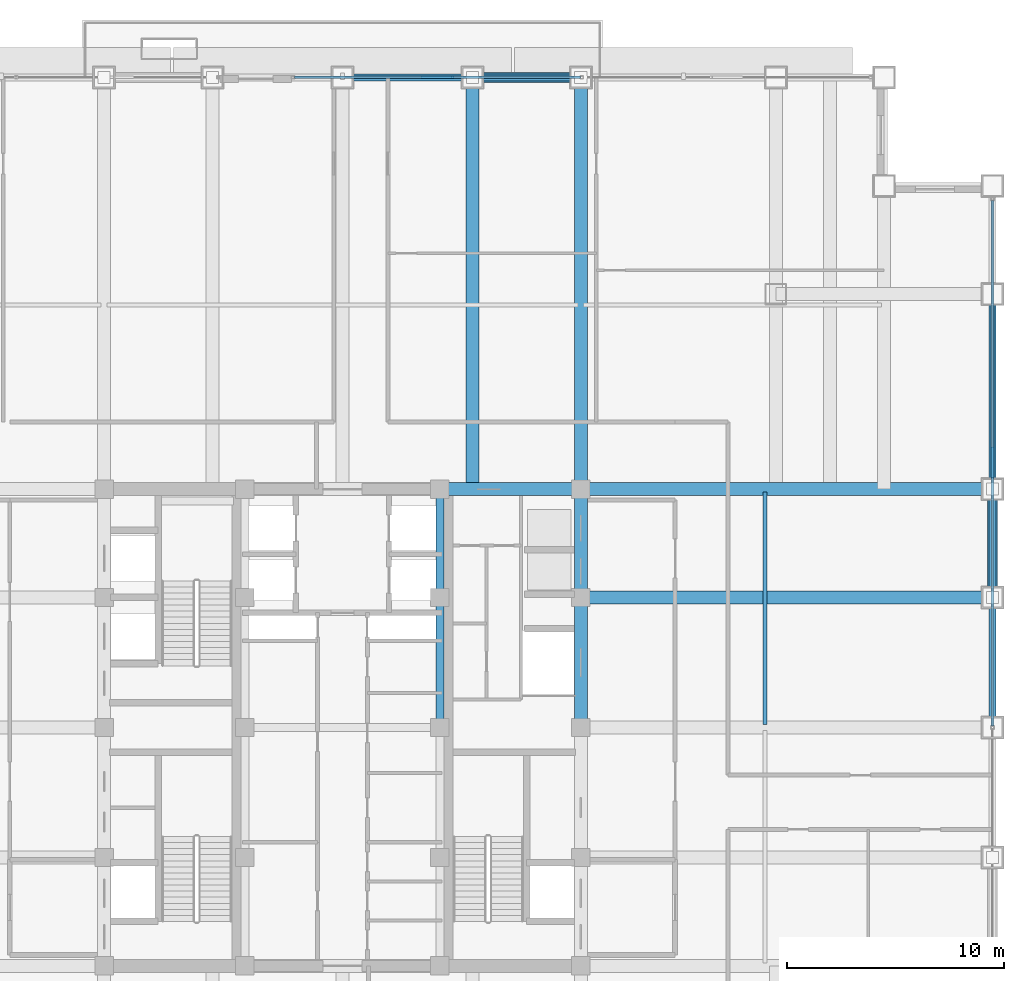
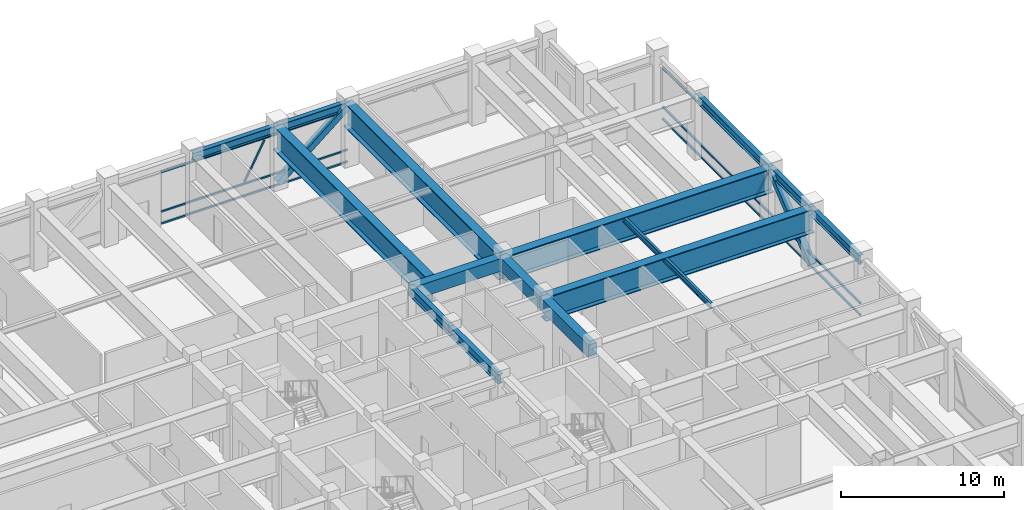
# One storey, part 19 of 33: 15 beams, 10 members, 2 elements without a shape of their own.
"""IFC4 building model written with IfcOpenShell, lengths in metres."""

from ifc_helpers import new_model, si_unit, direction, frame, origin, origin_2d, place, context, subcontext, project, spatial, rectangle, hollow_rectangle, i_section, extrude, source, transform, mapped, material, material_profile, profile_set, type_object, element, aggregate, save


model = new_model("IFC4")

# Units and contexts
model_context = context("Model", 3, precision=1e-05, world=origin(), true_north=direction((0.0, 1.0)))
body_context = subcontext(model_context, "Body", "Model", "MODEL_VIEW")
ifc_project = project(units=[si_unit("LENGTHUNIT", "METRE"), si_unit("AREAUNIT", "SQUARE_METRE"), si_unit("VOLUMEUNIT", "CUBIC_METRE"), si_unit("PLANEANGLEUNIT", "RADIAN"), si_unit("MASSUNIT", "GRAM", prefix="KILO")], contexts=[model_context])

# Site, building, storey
site_placement = place(None, origin())
site = spatial("IfcSite", under=ifc_project, at=site_placement, CompositionType="ELEMENT")
building_placement = place(site_placement, origin())
building = spatial("IfcBuilding", under=site, at=building_placement, Name="Khorayat Bourse Tower", CompositionType="ELEMENT")
storey_placement = place(building_placement, frame((0.0, 0.0, 263.10009765625)))
storey = spatial("IfcBuildingStorey", under=building, at=storey_placement, Name="L62", CompositionType="ELEMENT", Elevation=263.10009765625)

# Beams
ifc_material_1 = material(Name="Steel ASTM A992 Grade 50", Category="steel")
ifc_material_profile_1 = material_profile(ifc_material_1, i_section(OverallWidth=0.35498046875, OverallDepth=0.695068359375, WebThickness=0.015380859375, FlangeThickness=0.02490234375, FilletRadius=0.01806640625, at=origin_2d()), Name="W690X217")
ifc_profile_set_1 = profile_set([ifc_material_profile_1], Name="Steel ASTM A992 Grade 50")
beam_type_1 = type_object("IfcBeamType", Name="BM-GIRD-690", PredefinedType="BEAM", material=ifc_profile_set_1)
shared_shape_1 = source(origin(), body_context, "Body", "SweptSolid", [
    extrude(i_section(OverallWidth=0.35498046875, OverallDepth=0.695068359375, WebThickness=0.015380859375, FlangeThickness=0.02490234375, FilletRadius=0.01806640625, at=origin_2d()), origin(), (0.0, 0.0, 1.0), 5.0),
])
beam_1_placement = place(storey_placement, frame((4.5, 6.0, 4.25244140625), z_axis=(0.0, 1.0, 0.0), x_axis=(-1.0, 0.0, 0.0)))
element("IfcBeam", 1, at=beam_1_placement, inside=storey, type_object=beam_type_1, Name="L62 BM-GIRD-690 BM-L62-CRX-12", PredefinedType="BEAM", context=body_context, shape_type="MappedRepresentation", body=[
    mapped(shared_shape_1, transform((0.0, 0.0, 0.0), scale=1.0)),
])
shared_shape_2 = source(origin(), body_context, "Body", "SweptSolid", [
    extrude(i_section(OverallWidth=0.35498046875, OverallDepth=0.695068359375, WebThickness=0.015380859375, FlangeThickness=0.02490234375, FilletRadius=0.01806640625, at=origin_2d()), origin(), (0.0, 0.0, 1.0), 6.0),
])
beam_2_placement = place(storey_placement, frame((4.5, 0.0, 4.25244140625), z_axis=(0.0, 1.0, 0.0), x_axis=(-1.0, 0.0, 0.0)))
element("IfcBeam", 2, at=beam_2_placement, inside=storey, type_object=beam_type_1, Name="L62 BM-GIRD-690 BM-L62-CRX-11", PredefinedType="BEAM", context=body_context, shape_type="MappedRepresentation", body=[
    mapped(shared_shape_2, transform((0.0, 0.0, 0.0), scale=1.0)),
])
ifc_material_profile_2 = material_profile(ifc_material_1, i_section(OverallWidth=0.180908203125, OverallDepth=0.4169921875, WebThickness=0.010986328125, FlangeThickness=0.018310546875, FilletRadius=0.011962890625, at=origin_2d()), Name="W410X85")
ifc_profile_set_2 = profile_set([ifc_material_profile_2], Name="Steel ASTM A992 Grade 50")
beam_type_2 = type_object("IfcBeamType", Name="BM-JOIST-410", PredefinedType="JOIST", material=ifc_profile_set_2)
shared_shape_3 = source(origin(), body_context, "Body", "SweptSolid", [
    extrude(i_section(OverallWidth=0.180908203125, OverallDepth=0.4169921875, WebThickness=0.010986328125, FlangeThickness=0.018310546875, FilletRadius=0.011962890625, at=origin_2d()), origin(), (0.0, 0.0, 1.0), 10.740234375),
])
beam_3_placement = place(storey_placement, frame((19.5, 0.1298828125, 4.391357421875), z_axis=(0.0, 1.0, 0.0), x_axis=(-1.0, 0.0, 0.0)))
element("IfcBeam", 3, at=beam_3_placement, inside=storey, type_object=beam_type_2, Name="L62 BM-JOIST-410 BM-L62-JSTY-113", PredefinedType="JOIST", context=body_context, shape_type="MappedRepresentation", body=[
    mapped(shared_shape_3, transform((0.0, 0.0, 0.0), scale=1.0)),
])
ifc_material_profile_3 = material_profile(ifc_material_1, i_section(OverallWidth=0.324951171875, OverallDepth=0.615966796875, WebThickness=0.013916015625, FlangeThickness=0.021484375, FilletRadius=0.01611328125, at=origin_2d()), Name="W610X174")
ifc_profile_set_3 = profile_set([ifc_material_profile_3], Name="Steel ASTM A992 Grade 50")
beam_type_3 = type_object("IfcBeamType", Name="BM-SPAN-610", PredefinedType="SPANDREL", material=ifc_profile_set_3)
shared_shape_4 = source(origin(), body_context, "Body", "SweptSolid", [
    extrude(i_section(OverallWidth=0.324951171875, OverallDepth=0.615966796875, WebThickness=0.013916015625, FlangeThickness=0.021484375, FilletRadius=0.01611328125, at=origin_2d()), origin(), (0.0, 0.0, 1.0), 9.0),
])
beam_4_placement = place(storey_placement, frame((30.0, 11.0, 4.2919921875), z_axis=(0.0, 1.0, 0.0), x_axis=(-1.0, 0.0, 0.0)))
element("IfcBeam", 4, at=beam_4_placement, inside=storey, type_object=beam_type_3, Name="L62 BM-SPAN-610 BM-L62-SPN-040", PredefinedType="SPANDREL", context=body_context, shape_type="MappedRepresentation", body=[
    mapped(shared_shape_4, transform((0.0, 0.0, 0.0), scale=1.0)),
])
shared_shape_5 = source(origin(), body_context, "Body", "SweptSolid", [
    extrude(i_section(OverallWidth=0.324951171875, OverallDepth=0.615966796875, WebThickness=0.013916015625, FlangeThickness=0.021484375, FilletRadius=0.01611328125, at=origin_2d()), origin(), (0.0, 0.0, 1.0), 5.0),
])
for number, where, z_axis, x_axis, name in (
    (5, (30.0, 6.0, 4.2919921875), (0.0, 1.0, 0.0), (-1.0, 0.0, 0.0), "L62 BM-SPAN-610 BM-L62-SPN-039"),
    (6, (6.0, 30.0, 4.2919921875), (1.0, 0.0, 0.0), (0.0, 1.0, 0.0), "L62 BM-SPAN-610 BM-L62-SPN-046"),
):
    element("IfcBeam", number, at=place(storey_placement, frame(where, z_axis=z_axis, x_axis=x_axis)), inside=storey, type_object=beam_type_3, Name=name, PredefinedType="SPANDREL", context=body_context, shape_type="MappedRepresentation", body=[
        mapped(shared_shape_5, transform((0.0, 0.0, 0.0), scale=1.0)),
    ])
shared_shape_6 = source(origin(), body_context, "Body", "SweptSolid", [
    extrude(i_section(OverallWidth=0.324951171875, OverallDepth=0.615966796875, WebThickness=0.013916015625, FlangeThickness=0.021484375, FilletRadius=0.01611328125, at=origin_2d()), origin(), (0.0, 0.0, 1.0), 6.0),
])
for number, where, z_axis, x_axis, name in (
    (7, (30.0, 0.0, 4.2919921875), (0.0, 1.0, 0.0), (-1.0, 0.0, 0.0), "L62 BM-SPAN-610 BM-L62-SPN-038"),
    (8, (0.0, 30.0, 4.2919921875), (1.0, 0.0, 0.0), (0.0, 1.0, 0.0), "L62 BM-SPAN-610 BM-L62-SPN-047"),
):
    element("IfcBeam", number, at=place(storey_placement, frame(where, z_axis=z_axis, x_axis=x_axis)), inside=storey, type_object=beam_type_3, Name=name, PredefinedType="SPANDREL", context=body_context, shape_type="MappedRepresentation", body=[
        mapped(shared_shape_6, transform((0.0, 0.0, 0.0), scale=1.0)),
    ])
ifc_material_2 = material(Name="Concrete C60/75", Category="concrete")
ifc_material_profile_4 = material_profile(ifc_material_2, rectangle(XDim=0.60009765625, YDim=0.949951171875, at=origin_2d()), Name="RC 600x950")
ifc_profile_set_4 = profile_set([ifc_material_profile_4], Name="Concrete C60/75")
beam_type_4 = type_object("IfcBeamType", Name="BM-COUP-950", PredefinedType="BEAM", material=ifc_profile_set_4)
shared_shape_7 = source(origin(), body_context, "Body", "SweptSolid", [
    extrude(rectangle(XDim=0.60009765625, YDim=0.949951171875, at=origin_2d()), origin(), (0.0, 0.0, 1.0), 5.0),
])
beam_5_placement = place(storey_placement, frame((11.0, 6.0, 4.125), z_axis=(0.0, 1.0, 0.0), x_axis=(-1.0, 0.0, 0.0)))
element("IfcBeam", 9, at=beam_5_placement, inside=storey, type_object=beam_type_4, Name="L62 BM-COUP-950 BM-L62-CRX-16", PredefinedType="BEAM", context=body_context, shape_type="MappedRepresentation", body=[
    mapped(shared_shape_7, transform((0.0, 0.0, 0.0), scale=1.0)),
])
shared_shape_8 = source(origin(), body_context, "Body", "SweptSolid", [
    extrude(rectangle(XDim=0.60009765625, YDim=0.949951171875, at=origin_2d()), origin(), (0.0, 0.0, 1.0), 6.0),
])
beam_6_placement = place(storey_placement, frame((11.0, 0.0, 4.125), z_axis=(0.0, 1.0, 0.0), x_axis=(-1.0, 0.0, 0.0)))
element("IfcBeam", 10, at=beam_6_placement, inside=storey, type_object=beam_type_4, Name="L62 BM-COUP-950 BM-L62-CRX-15", PredefinedType="BEAM", context=body_context, shape_type="MappedRepresentation", body=[
    mapped(shared_shape_8, transform((0.0, 0.0, 0.0), scale=1.0)),
])
shared_shape_9 = source(origin(), body_context, "Body", "SweptSolid", [
    extrude(rectangle(XDim=0.60009765625, YDim=0.949951171875, at=origin_2d()), origin(), (0.0, 0.0, 1.0), 6.5),
])
beam_7_placement = place(storey_placement, frame((4.5, 11.0, 4.125), z_axis=(1.0, 0.0, 0.0), x_axis=(0.0, 1.0, 0.0)))
element("IfcBeam", 11, at=beam_7_placement, inside=storey, type_object=beam_type_4, Name="L62 BM-COUP-950 BM-L62-CRY-22", PredefinedType="BEAM", context=body_context, shape_type="MappedRepresentation", body=[
    mapped(shared_shape_9, transform((0.0, 0.0, 0.0), scale=1.0)),
])
ifc_material_3 = material(Name="Steel EN 10025-4 S460M", Category="steel")
ifc_material_profile_5 = material_profile(ifc_material_3, i_section(OverallWidth=0.60009765625, OverallDepth=1.800048828125, WebThickness=0.031982421875, FlangeThickness=0.06005859375, at=origin_2d()), Name="PG 1800x600x32x60")
ifc_profile_set_5 = profile_set([ifc_material_profile_5], Name="Steel EN 10025-4 S460M")
beam_type_5 = type_object("IfcBeamType", Name="BM-TR-1800", PredefinedType="BEAM", material=ifc_profile_set_5)
shared_shape_10 = source(origin(), body_context, "Body", "SweptSolid", [
    extrude(i_section(OverallWidth=0.60009765625, OverallDepth=1.800048828125, WebThickness=0.031982421875, FlangeThickness=0.06005859375, at=origin_2d()), origin(), (0.0, 0.0, 1.0), 19.0),
])
for number, where, z_axis, x_axis, name in (
    (12, (6.0, 11.0, 3.699951171875), (0.0, 1.0, 0.0), (-1.0, 0.0, 0.0), "L62 BM-TR-1800 BM-L62-RADY-070"),
    (13, (11.0, 11.0, 3.699951171875), (0.0, 1.0, 0.0), (-1.0, 0.0, 0.0), "L62 BM-TR-1800 BM-L62-RADY-072"),
    (14, (11.0, 6.0, 3.699951171875), (1.0, 0.0, 0.0), (0.0, 1.0, 0.0), "L62 BM-TR-1800 BM-L62-RADX-080"),
    (15, (11.0, 11.0, 3.699951171875), (1.0, 0.0, 0.0), (0.0, 1.0, 0.0), "L62 BM-TR-1800 BM-L62-RADX-082"),
):
    element("IfcBeam", number, at=place(storey_placement, frame(where, z_axis=z_axis, x_axis=x_axis)), inside=storey, type_object=beam_type_5, Name=name, PredefinedType="BEAM", context=body_context, shape_type="MappedRepresentation", body=[
        mapped(shared_shape_10, transform((0.0, 0.0, 0.0), scale=1.0)),
    ])

# Members
ifc_material_profile_6 = material_profile(ifc_material_3, hollow_rectangle(XDim=0.449951171875, YDim=0.449951171875, WallThickness=0.02490234375, at=origin_2d()), Name="HSS 450x450x25")
ifc_profile_set_6 = profile_set([ifc_material_profile_6], Name="Steel EN 10025-4 S460M")
member_type_1 = type_object("IfcMemberType", Name="MBR-TUBE-450", PredefinedType="BRACE", material=ifc_profile_set_6)
shared_shape_11 = source(origin(), body_context, "Body", "SweptSolid", [
    extrude(hollow_rectangle(XDim=0.449951171875, YDim=0.449951171875, WallThickness=0.02490234375, at=origin_2d()), origin(), (0.0, 0.0, 1.0), 6.466064453125),
])
for number, where, z_axis, x_axis, name in (
    (16, (6.0, 30.0, 0.25), (0.773278898257, 0.0, 0.634066041916), (0.0, 1.0, 0.0), "L62 Perimeter Tube Brace 04"),
    (17, (30.0, 6.0, 0.25), (0.0, 0.773278898257, 0.634066041916), (-1.0, 0.0, 0.0), "L62 Perimeter Tube Brace 08"),
):
    element("IfcMember", number, at=place(storey_placement, frame(where, z_axis=z_axis, x_axis=x_axis)), inside=storey, type_object=member_type_1, Name=name, PredefinedType="BRACE", context=body_context, shape_type="MappedRepresentation", body=[
        mapped(shared_shape_11, transform((0.0, 0.0, 0.0), scale=1.0)),
    ])

# Curtain wall, member
ifc_material_4 = material(Name="Aluminium EN AW-6063 T6", Category="aluminium")
curtain_wall_type = type_object("IfcCurtainWallType", Name="CW-SYS-05", PredefinedType="NOTDEFINED", material=ifc_material_4)
curtain_wall_1_placement = place(storey_placement, origin())
curtain_wall_1 = element("IfcCurtainWall", 18, at=curtain_wall_1_placement, inside=storey, type_object=curtain_wall_type, Name="L62 Curtain Wall CW-L62-N2", PredefinedType="NOTDEFINED")
ifc_material_profile_7 = material_profile(ifc_material_4, hollow_rectangle(XDim=0.1201171875, YDim=0.1201171875, WallThickness=0.0048828125, at=origin_2d()), Name="ALU 120x120x5")
ifc_profile_set_7 = profile_set([ifc_material_profile_7], Name="Aluminium EN AW-6063 T6")
member_type_2 = type_object("IfcMemberType", Name="CWM-DIAG-120", PredefinedType="MULLION", material=ifc_profile_set_7)
shared_shape_12 = source(origin(), body_context, "Body", "SweptSolid", [
    extrude(hollow_rectangle(XDim=0.1201171875, YDim=0.1201171875, WallThickness=0.0048828125, at=origin_2d()), origin(), (0.0, 0.0, 1.0), 3.006103515625),
])
member_1_placement = place(storey_placement, frame((3.68505859375, 30.0, 1.08984375), z_axis=(0.465699569312, 0.0, 0.884942885808), x_axis=(0.0, 1.0, 0.0)))
member_1 = element("IfcMember", 19, at=member_1_placement, type_object=member_type_2, Name="CW-L62-N2 Faceted Diagonal Mullion 1", PredefinedType="MULLION", context=body_context, shape_type="MappedRepresentation", body=[
    mapped(shared_shape_12, transform((0.0, 0.0, 0.0), scale=1.0)),
])

curtain_wall_2_placement = place(storey_placement, origin())
curtain_wall_2 = element("IfcCurtainWall", 20, at=curtain_wall_2_placement, inside=storey, type_object=curtain_wall_type, Name="L62 Curtain Wall CW-L62-E1", PredefinedType="NOTDEFINED")
member_2_placement = place(storey_placement, frame((30.0, 12.889892578125, 1.08984375), z_axis=(0.0, -0.465699569312, 0.884942885808), x_axis=(1.0, 0.0, 0.0)))
member_2 = element("IfcMember", 21, at=member_2_placement, type_object=member_type_2, Name="CW-L62-E1 Faceted Diagonal Mullion 2", PredefinedType="MULLION", context=body_context, shape_type="MappedRepresentation", body=[
    mapped(shared_shape_12, transform((0.0, 0.0, 0.0), scale=1.0)),
])

# Member
ifc_material_profile_8 = material_profile(ifc_material_4, hollow_rectangle(XDim=0.1201171875, YDim=0.1201171875, WallThickness=0.0048828125, at=origin_2d()), Name="ALU 120x120x5")
ifc_profile_set_8 = profile_set([ifc_material_profile_8], Name="Aluminium EN AW-6063 T6")
member_type_3 = type_object("IfcMemberType", Name="CWT-HORZ-120", PredefinedType="USERDEFINED", material=ifc_profile_set_8)
shared_shape_13 = source(origin(), body_context, "Body", "SweptSolid", [
    extrude(hollow_rectangle(XDim=0.1201171875, YDim=0.1201171875, WallThickness=0.0048828125, at=origin_2d()), origin(), (0.0, 0.0, 1.0), 13.18994140625),
])
member_3_placement = place(storey_placement, frame((-2.2099609375, 30.0, 0.059814453125), z_axis=(1.0, 0.0, 0.0), x_axis=(0.0, 1.0, 0.0)))
member_3 = element("IfcMember", 22, at=member_3_placement, type_object=member_type_3, Name="CW-L62-N2 Horizontal Transom 1-1", ObjectType="TRANSOM", PredefinedType="USERDEFINED", context=body_context, shape_type="MappedRepresentation", body=[
    mapped(shared_shape_13, transform((0.0, 0.0, 0.0), scale=1.0)),
])

member_4_placement = place(storey_placement, frame((-2.2099609375, 30.0, 0.949951171875), z_axis=(1.0, 0.0, 0.0), x_axis=(0.0, 1.0, 0.0)))
member_4 = element("IfcMember", 23, at=member_4_placement, type_object=member_type_3, Name="CW-L62-N2 Horizontal Transom 1-2", ObjectType="TRANSOM", PredefinedType="USERDEFINED", context=body_context, shape_type="MappedRepresentation", body=[
    mapped(shared_shape_13, transform((0.0, 0.0, 0.0), scale=1.0)),
])

member_5_placement = place(storey_placement, frame((-2.2099609375, 30.0, 3.889892578125), z_axis=(1.0, 0.0, 0.0), x_axis=(0.0, 1.0, 0.0)))
member_5 = element("IfcMember", 24, at=member_5_placement, type_object=member_type_3, Name="CW-L62-N2 Horizontal Transom 1-3", ObjectType="TRANSOM", PredefinedType="USERDEFINED", context=body_context, shape_type="MappedRepresentation", body=[
    mapped(shared_shape_13, transform((0.0, 0.0, 0.0), scale=1.0)),
])

aggregate(curtain_wall_1, [member_3, member_4, member_5, member_1])

shared_shape_14 = source(origin(), body_context, "Body", "SweptSolid", [
    extrude(hollow_rectangle(XDim=0.1201171875, YDim=0.1201171875, WallThickness=0.0048828125, at=origin_2d()), origin(), (0.0, 0.0, 1.0), 24.239990234375),
])
member_6_placement = place(storey_placement, frame((30.0, 0.070068359375, 0.059814453125), z_axis=(0.0, 1.0, 0.0), x_axis=(-1.0, 0.0, 0.0)))
member_6 = element("IfcMember", 25, at=member_6_placement, type_object=member_type_3, Name="CW-L62-E1 Horizontal Transom 2-1", ObjectType="TRANSOM", PredefinedType="USERDEFINED", context=body_context, shape_type="MappedRepresentation", body=[
    mapped(shared_shape_14, transform((0.0, 0.0, 0.0), scale=1.0)),
])

member_7_placement = place(storey_placement, frame((30.0, 0.070068359375, 0.949951171875), z_axis=(0.0, 1.0, 0.0), x_axis=(-1.0, 0.0, 0.0)))
member_7 = element("IfcMember", 26, at=member_7_placement, type_object=member_type_3, Name="CW-L62-E1 Horizontal Transom 2-2", ObjectType="TRANSOM", PredefinedType="USERDEFINED", context=body_context, shape_type="MappedRepresentation", body=[
    mapped(shared_shape_14, transform((0.0, 0.0, 0.0), scale=1.0)),
])

member_8_placement = place(storey_placement, frame((30.0, 0.070068359375, 3.889892578125), z_axis=(0.0, 1.0, 0.0), x_axis=(-1.0, 0.0, 0.0)))
member_8 = element("IfcMember", 27, at=member_8_placement, type_object=member_type_3, Name="CW-L62-E1 Horizontal Transom 2-3", ObjectType="TRANSOM", PredefinedType="USERDEFINED", context=body_context, shape_type="MappedRepresentation", body=[
    mapped(shared_shape_14, transform((0.0, 0.0, 0.0), scale=1.0)),
])

aggregate(curtain_wall_2, [member_6, member_7, member_8, member_2])

save(model, "model.ifc")
